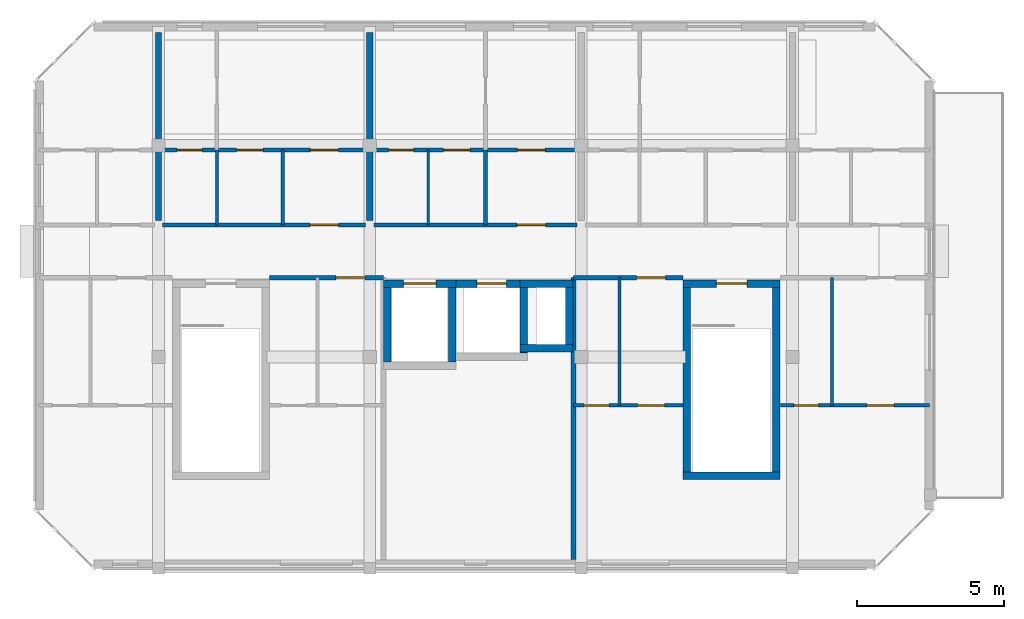
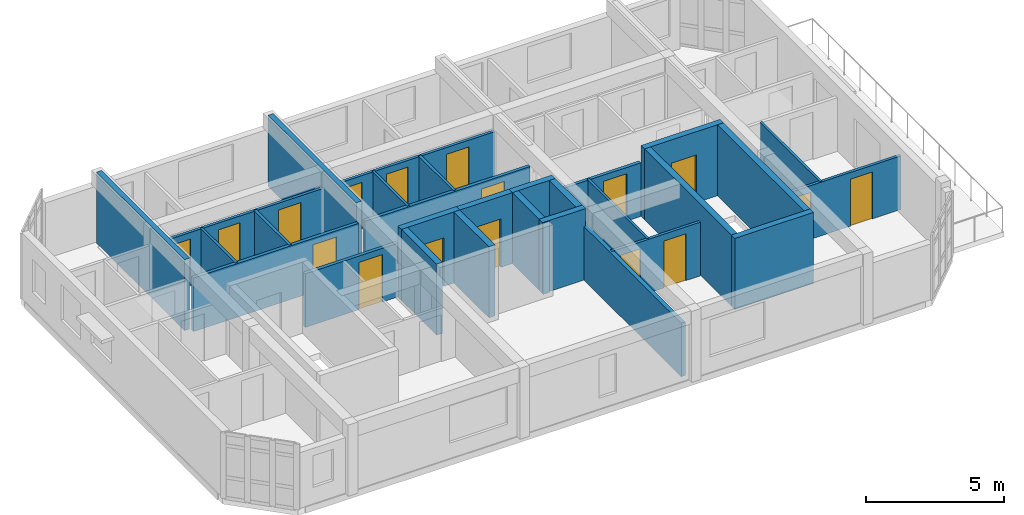
# One storey, part 4 of 6: 29 walls, 17 doors, 17 openings.
"""IFC4 building model written with IfcOpenShell, lengths in metres."""

import ifcopenshell
import ifcopenshell.guid

model = None  # the IFC model being written
_history = None  # IfcOwnerHistory: only IFC2X3 demands one
_inside = {}  # id of a spatial element -> (the spatial element, [elements in it])
_under = {}  # id of a project, library or spatial element -> (it, [spatial elements below it])
_declared = {}  # id of a project -> (the project, [libraries it declares])
_typed = {}  # id of a type object -> (the type object, [elements of that type])
_made_of = {}  # id of a material, layer set ... -> (it, [elements and type objects made of it])


def new_model(schema):
    """Start an empty IFC model of exactly this schema.

    Asked for "IFC4X3", IfcOpenShell would pick the latest addendum, in which some entities
    have other attributes; the version numbers below select the first issue.
    IFC2X3 requires an IfcOwnerHistory on every rooted entity: one is made here for all.
    """
    global model, _history
    if schema == "IFC4X3":
        model = ifcopenshell.file(schema_version=(4, 3, 0, 0))
    else:
        model = ifcopenshell.file(schema=schema)
    _inside.clear()
    _under.clear()
    _declared.clear()
    _typed.clear()
    _made_of.clear()
    _history = None
    if model.schema == "IFC2X3":
        org = make("IfcOrganization", Name="unknown")
        user = make(
            "IfcPersonAndOrganization",
            ThePerson=make("IfcPerson", FamilyName="unknown"),
            TheOrganization=org,
        )
        app = make(
            "IfcApplication",
            ApplicationDeveloper=org,
            Version="unknown",
            ApplicationFullName="unknown",
            ApplicationIdentifier="unknown",
        )
        _history = make(
            "IfcOwnerHistory",
            OwningUser=user,
            OwningApplication=app,
            ChangeAction="ADDED",
            CreationDate=0,
        )
    return model


def make(cls, **values):
    """One entity of the class cls with the attributes given. An attribute that is None is left unset."""
    return model.create_entity(
        cls, **{name: value for name, value in values.items() if value is not None}
    )


def rooted(cls, **values):
    """An entity with a GlobalId (a new one), such as an element, a storey or a relation."""
    return make(cls, GlobalId=ifcopenshell.guid.new(), OwnerHistory=_history, **values)


def si_unit(unit_type, name, prefix=None):
    """IfcSIUnit, for example si_unit("LENGTHUNIT", "METRE", prefix="MILLI")."""
    return make("IfcSIUnit", UnitType=unit_type, Prefix=prefix, Name=name)


def assignment(units):
    """IfcUnitAssignment: the units of a project."""
    return None if units is None else make("IfcUnitAssignment", Units=units)


def point(xyz):
    """IfcCartesianPoint."""
    return None if xyz is None else make("IfcCartesianPoint", Coordinates=xyz)


def direction(xyz):
    """IfcDirection."""
    return None if xyz is None else make("IfcDirection", DirectionRatios=xyz)


def frame(location, z_axis=None, x_axis=None):
    """IfcAxis2Placement3D, a coordinate frame: its origin and axes. An axis left out is left unset."""
    return make(
        "IfcAxis2Placement3D",
        Location=point(location),
        Axis=direction(z_axis),
        RefDirection=direction(x_axis),
    )


def frame_2d(location, x_axis=None):
    """IfcAxis2Placement2D, a coordinate frame in the plane: its origin and x axis."""
    return make(
        "IfcAxis2Placement2D", Location=point(location), RefDirection=direction(x_axis)
    )


def origin():
    """The frame at (0, 0, 0) with its axes left unset."""
    return frame((0.0, 0.0, 0.0))


def place(relative_to, where):
    """IfcLocalPlacement: puts the frame where relative to a parent placement (None: the world)."""
    return make(
        "IfcLocalPlacement", PlacementRelTo=relative_to, RelativePlacement=where
    )


def context(
    kind, dimensions, precision=None, world=None, true_north=None, identifier=None
):
    """IfcGeometricRepresentationContext, for example the 3D "Model" context."""
    return make(
        "IfcGeometricRepresentationContext",
        ContextIdentifier=identifier,
        ContextType=kind,
        CoordinateSpaceDimension=dimensions,
        Precision=precision,
        WorldCoordinateSystem=world,
        TrueNorth=true_north,
    )


def subcontext(parent, identifier, kind, view, scale=None):
    """IfcGeometricRepresentationSubContext, for example "Body" below "Model"."""
    return make(
        "IfcGeometricRepresentationSubContext",
        ContextIdentifier=identifier,
        ContextType=kind,
        ParentContext=parent,
        TargetScale=scale,
        TargetView=view,
    )


def project(units=None, contexts=None):
    """IfcProject with its units and contexts."""
    return rooted(
        "IfcProject",
        Name="project",
        RepresentationContexts=contexts,
        UnitsInContext=assignment(units),
    )


def spatial(cls, under=None, at=None, **own):
    """A site, building, storey or space (cls), placed at a placement, below another one or the project."""
    s = rooted(cls, ObjectPlacement=at, **own)
    if under is not None:
        _under.setdefault(under.id(), (under, []))[1].append(s)
    return s


def profile(cls, at=None, kind="AREA", **sizes):
    """A parametric profile (cls). Its sizes go by their IFC names, for example OverallWidth=200.0."""
    return make(cls, ProfileType=kind, Position=at, **sizes)


def rectangle(**sizes):
    """IfcRectangleProfileDef."""
    return profile("IfcRectangleProfileDef", **sizes)


def extrude(swept, where, along, depth):
    """IfcExtrudedAreaSolid: the profile swept, set in the frame where, extruded along a direction by depth."""
    return make(
        "IfcExtrudedAreaSolid",
        SweptArea=swept,
        Position=where,
        ExtrudedDirection=direction(along),
        Depth=depth,
    )


def shape(context_of_items, identifier, shape_type, items):
    """IfcShapeRepresentation: the items that make up one representation, for example the "Body"."""
    return make(
        "IfcShapeRepresentation",
        ContextOfItems=context_of_items,
        RepresentationIdentifier=identifier,
        RepresentationType=shape_type,
        Items=items,
    )


def material(Name=None, Category=None):
    """IfcMaterial."""
    return make("IfcMaterial", Name=Name, Category=Category)


def layer(
    of_material, thickness, ventilated=None, Name=None, Category=None, Priority=None
):
    """IfcMaterialLayer: one layer of a wall or slab, of a material (None: an air gap)."""
    return make(
        "IfcMaterialLayer",
        Material=of_material,
        LayerThickness=thickness,
        IsVentilated=ventilated,
        Name=Name,
        Category=Category,
        Priority=Priority,
    )


def layer_set(layers, Name=None):
    """IfcMaterialLayerSet."""
    return make("IfcMaterialLayerSet", MaterialLayers=layers, LayerSetName=Name)


def made_of(thing, what):
    """Note that an element or type object is made of a material, layer set ...; save() writes the relation."""
    if what is not None:
        _made_of.setdefault(what.id(), (what, []))[1].append(thing)
    return thing


def type_object(cls, material=None, **own):
    """A type object (cls), such as IfcWallType, which elements share."""
    return made_of(rooted(cls, **own), material)


def element(
    cls,
    number,
    at=None,
    inside=None,
    cuts=None,
    type_object=None,
    material=None,
    context=None,
    identifier="Body",
    shape_type=None,
    held_by="IfcProductDefinitionShape",
    body=None,
    shapes=None,
    **own,
):
    """One element of the class cls, such as IfcWall. Its Tag is "e" and its number.

    at: its placement. inside: the storey or other place that contains it. cuts: it is an
    opening in that element (IfcRelVoidsElement). A single representation is given by context,
    identifier, shape_type and body (its items); several are given by shapes. held_by: the class
    of the entity that holds the representations. save() writes the other relations.
    """
    e = rooted(cls, Tag="e%d" % number, ObjectPlacement=at, **own)
    if body is not None:
        shapes = [shape(context, identifier, shape_type, body)]
    if shapes is not None:
        e.Representation = make(held_by, Representations=shapes)
    if inside is not None:
        _inside.setdefault(inside.id(), (inside, []))[1].append(e)
    if cuts is not None:
        rooted(
            "IfcRelVoidsElement", RelatingBuildingElement=cuts, RelatedOpeningElement=e
        )
    if type_object is not None:
        _typed.setdefault(type_object.id(), (type_object, []))[1].append(e)
    return made_of(e, material)


def fill(opening, filler):
    """IfcRelFillsElement: the door or window that sits in an opening."""
    return rooted(
        "IfcRelFillsElement",
        RelatingOpeningElement=opening,
        RelatedBuildingElement=filler,
    )


def aggregate(whole, parts):
    """IfcRelAggregates: a whole, such as a stair, and the parts it consists of."""
    return rooted("IfcRelAggregates", RelatingObject=whole, RelatedObjects=parts)


def save(model, path):
    """Write the relations noted so far, then the file.

    IfcRelAggregates (storeys below a building ...), IfcRelContainedInSpatialStructure (elements
    in a storey), IfcRelDefinesByType, IfcRelAssociatesMaterial and IfcRelDeclares: one each for
    every whole, place, type object, material and project.
    """
    for whole, parts in _under.values():
        aggregate(whole, parts)
    for where, things in _inside.values():
        rooted(
            "IfcRelContainedInSpatialStructure",
            RelatedElements=things,
            RelatingStructure=where,
        )
    for kind, things in _typed.values():
        rooted("IfcRelDefinesByType", RelatedObjects=things, RelatingType=kind)
    for what, things in _made_of.values():
        rooted("IfcRelAssociatesMaterial", RelatedObjects=things, RelatingMaterial=what)
    for by, libraries in _declared.values():
        rooted("IfcRelDeclares", RelatingContext=by, RelatedDefinitions=libraries)
    model.write(path)


model = new_model("IFC4")

# Units and contexts
model_context = context("Model", 3, precision=1e-05, world=origin(), true_north=direction((0.0, 1.0)))
body_context = subcontext(model_context, "Body", "Model", "MODEL_VIEW")
ifc_project = project(units=[si_unit("LENGTHUNIT", "METRE"), si_unit("AREAUNIT", "SQUARE_METRE"), si_unit("VOLUMEUNIT", "CUBIC_METRE"), si_unit("PLANEANGLEUNIT", "RADIAN"), si_unit("MASSUNIT", "GRAM", prefix="KILO")], contexts=[model_context])

# Site, building, storey
site_placement = place(None, origin())
site = spatial("IfcSite", under=ifc_project, at=site_placement, CompositionType="ELEMENT")
building_placement = place(site_placement, origin())
building = spatial("IfcBuilding", under=site, at=building_placement, Name="Ochrevale Crest", CompositionType="ELEMENT")
storey_placement = place(building_placement, frame((0.0, 0.0, 49.64990234375)))
storey = spatial("IfcBuildingStorey", under=building, at=storey_placement, Name="L15", CompositionType="ELEMENT", Elevation=49.64990234375)

# Wall, opening, door
ifc_material_1 = material(Name="Gypsum plasterboard", Category="gypsum")
ifc_layer_1 = layer(ifc_material_1, 0.139892578125)
ifc_layer_set_1 = layer_set([ifc_layer_1], Name="Gypsum plasterboard")
wall_type_1 = type_object("IfcWallType", Name="WL-COR-140", PredefinedType="PARTITIONING", material=ifc_layer_set_1)
wall_1_placement = place(storey_placement, frame((136.93994140625, 83.699951171875, 0.0), z_axis=(0.0, 0.0, 1.0), x_axis=(1.0, 0.0, 0.0)))
wall_1 = element("IfcWall", 1, at=wall_1_placement, inside=storey, type_object=wall_type_1, Name="Apartment D-L15-U2 corridor wall", PredefinedType="PARTITIONING", context=body_context, shape_type="SweptSolid", body=[
    extrude(rectangle(XDim=6.920166015625, YDim=0.139892578125, at=frame_2d((3.4599609375, 0.0))), origin(), (0.0, 0.0, 1.0), 2.380126953125),
])
opening_1_placement = place(wall_1_placement, frame((6.0, 0.0, 0.0), z_axis=(0.0, 0.0, 1.0), x_axis=(-1.0, 0.0, 0.0)))
opening_1 = element("IfcOpeningElement", 2, at=opening_1_placement, cuts=wall_1, Name="Opening FD01", PredefinedType="OPENING", context=body_context, shape_type="SweptSolid", body=[
    extrude(rectangle(XDim=0.97998046875, YDim=2.10009765625, at=frame_2d((0.489990234375, 1.050048828125))), frame((0.0, 0.080078125, 0.0), z_axis=(0.0, -1.0, 0.0), x_axis=(1.0, 0.0, 0.0)), (0.0, 0.0, 1.0), 0.159912109375),
])
ifc_material_2 = material(Name="Solid-core FSC hardwood", Category="wood")
door_type_1 = type_object("IfcDoorType", Name="DR-APT-950", OperationType="NOTDEFINED", PredefinedType="DOOR", material=ifc_material_2)
door_1_placement = place(opening_1_placement, origin())
door_1 = element("IfcDoor", 3, at=door_1_placement, inside=storey, type_object=door_type_1, Name="Apartment D-L15-U2 entrance door", OperationType="SINGLE_SWING_RIGHT", OverallHeight=2.10009765625, OverallWidth=0.97998046875, PredefinedType="DOOR", context=body_context, shape_type="SweptSolid", body=[
    extrude(rectangle(XDim=0.97998046875, YDim=2.10009765625, at=frame_2d((0.489990234375, 1.050048828125))), frame((0.0, 0.02490234375, 0.0), z_axis=(0.0, -1.0, 0.0), x_axis=(1.0, 0.0, 0.0)), (0.0, 0.0, 1.0), 0.050048828125),
])
fill(opening_1, door_1)

wall_2_placement = place(storey_placement, frame((144.139892578125, 83.699951171875, 0.0), z_axis=(0.0, 0.0, 1.0), x_axis=(1.0, 0.0, 0.0)))
wall_2 = element("IfcWall", 4, at=wall_2_placement, inside=storey, type_object=wall_type_1, Name="Apartment D-L15-U3 corridor wall", PredefinedType="PARTITIONING", context=body_context, shape_type="SweptSolid", body=[
    extrude(rectangle(XDim=6.920166015625, YDim=0.139892578125, at=frame_2d((3.4599609375, 0.0))), origin(), (0.0, 0.0, 1.0), 2.380126953125),
])
opening_2_placement = place(wall_2_placement, frame((4.8701171875, 0.0, 0.0)))
opening_2 = element("IfcOpeningElement", 5, at=opening_2_placement, cuts=wall_2, Name="Opening FD01", PredefinedType="OPENING", context=body_context, shape_type="SweptSolid", body=[
    extrude(rectangle(XDim=0.97998046875, YDim=2.10009765625, at=frame_2d((0.489990234375, 1.050048828125))), frame((0.0, 0.080078125, 0.0), z_axis=(0.0, -1.0, 0.0), x_axis=(1.0, 0.0, 0.0)), (0.0, 0.0, 1.0), 0.159912109375),
])
door_2_placement = place(opening_2_placement, origin())
door_2 = element("IfcDoor", 6, at=door_2_placement, inside=storey, type_object=door_type_1, Name="Apartment D-L15-U3 entrance door", OperationType="SINGLE_SWING_LEFT", OverallHeight=2.10009765625, OverallWidth=0.97998046875, PredefinedType="DOOR", context=body_context, shape_type="SweptSolid", body=[
    extrude(rectangle(XDim=0.97998046875, YDim=2.10009765625, at=frame_2d((0.489990234375, 1.050048828125))), frame((0.0, 0.02490234375, 0.0), z_axis=(0.0, -1.0, 0.0), x_axis=(1.0, 0.0, 0.0)), (0.0, 0.0, 1.0), 0.050048828125),
])
fill(opening_2, door_2)

wall_3_placement = place(storey_placement, frame((140.590087890625, 81.89990234375, 0.0), z_axis=(0.0, 0.0, 1.0), x_axis=(1.0, 0.0, 0.0)))
wall_3 = element("IfcWall", 7, at=wall_3_placement, inside=storey, type_object=wall_type_1, Name="Suite D-L15-MW corridor wall", PredefinedType="PARTITIONING", context=body_context, shape_type="SweptSolid", body=[
    extrude(rectangle(XDim=3.869873046875, YDim=0.139892578125, at=frame_2d((1.93505859375, 0.0))), origin(), (0.0, 0.0, 1.0), 2.380126953125),
])
opening_3_placement = place(wall_3_placement, frame((2.2578125, 0.0, 0.0)))
opening_3 = element("IfcOpeningElement", 8, at=opening_3_placement, cuts=wall_3, Name="Opening FD01", PredefinedType="OPENING", context=body_context, shape_type="SweptSolid", body=[
    extrude(rectangle(XDim=0.97998046875, YDim=2.10009765625, at=frame_2d((0.489990234375, 1.050048828125))), frame((0.0, 0.080078125, 0.0), z_axis=(0.0, -1.0, 0.0), x_axis=(1.0, 0.0, 0.0)), (0.0, 0.0, 1.0), 0.159912109375),
])
door_3_placement = place(opening_3_placement, origin())
door_3 = element("IfcDoor", 9, at=door_3_placement, inside=storey, type_object=door_type_1, Name="Suite D-L15-MW entrance door", OperationType="SINGLE_SWING_LEFT", OverallHeight=2.10009765625, OverallWidth=0.97998046875, PredefinedType="DOOR", context=body_context, shape_type="SweptSolid", body=[
    extrude(rectangle(XDim=0.97998046875, YDim=2.10009765625, at=frame_2d((0.489990234375, 1.050048828125))), frame((0.0, 0.02490234375, 0.0), z_axis=(0.0, -1.0, 0.0), x_axis=(1.0, 0.0, 0.0)), (0.0, 0.0, 1.0), 0.050048828125),
])
fill(opening_3, door_3)

wall_4_placement = place(storey_placement, frame((150.93994140625, 81.89990234375, 0.0), z_axis=(0.0, 0.0, 1.0), x_axis=(1.0, 0.0, 0.0)))
wall_4 = element("IfcWall", 10, at=wall_4_placement, inside=storey, type_object=wall_type_1, Name="Suite D-L15-ME corridor wall", PredefinedType="PARTITIONING", context=body_context, shape_type="SweptSolid", body=[
    extrude(rectangle(XDim=3.719970703125, YDim=0.139892578125, at=frame_2d((1.85986328125, 0.0))), origin(), (0.0, 0.0, 1.0), 2.380126953125),
])
opening_4_placement = place(wall_4_placement, frame((3.131103515625, 0.0, 0.0), z_axis=(0.0, 0.0, 1.0), x_axis=(-1.0, 0.0, 0.0)))
opening_4 = element("IfcOpeningElement", 11, at=opening_4_placement, cuts=wall_4, Name="Opening FD01", PredefinedType="OPENING", context=body_context, shape_type="SweptSolid", body=[
    extrude(rectangle(XDim=0.97998046875, YDim=2.10009765625, at=frame_2d((0.489990234375, 1.050048828125))), frame((0.0, 0.080078125, 0.0), z_axis=(0.0, -1.0, 0.0), x_axis=(1.0, 0.0, 0.0)), (0.0, 0.0, 1.0), 0.159912109375),
])
door_4_placement = place(opening_4_placement, origin())
door_4 = element("IfcDoor", 12, at=door_4_placement, inside=storey, type_object=door_type_1, Name="Suite D-L15-ME entrance door", OperationType="SINGLE_SWING_RIGHT", OverallHeight=2.10009765625, OverallWidth=0.97998046875, PredefinedType="DOOR", context=body_context, shape_type="SweptSolid", body=[
    extrude(rectangle(XDim=0.97998046875, YDim=2.10009765625, at=frame_2d((0.489990234375, 1.050048828125))), frame((0.0, 0.02490234375, 0.0), z_axis=(0.0, -1.0, 0.0), x_axis=(1.0, 0.0, 0.0)), (0.0, 0.0, 1.0), 0.050048828125),
])
fill(opening_4, door_4)

# Wall
ifc_material_3 = material(Name="Precast concrete C50/60", Category="concrete")
ifc_layer_2 = layer(ifc_material_3, 0.2548828125)
ifc_layer_set_2 = layer_set([ifc_layer_2], Name="Precast concrete C50/60")
wall_type_2 = type_object("IfcWallType", Name="WL-CORE-255", PredefinedType="SHEAR", material=ifc_layer_set_2)
wall_5_placement = place(storey_placement, frame((154.672607421875, 75.14990234375, 0.0), z_axis=(0.0, 0.0, 1.0), x_axis=(1.0, 0.0, 0.0)))
element("IfcWall", 13, at=wall_5_placement, inside=storey, type_object=wall_type_2, Name="Block D L15 Stair 2 precast core shear wall S", PredefinedType="SHEAR", context=body_context, shape_type="SweptSolid", body=[
    extrude(rectangle(XDim=3.304931640625, YDim=0.2548828125, at=frame_2d((1.65234375, 0.0))), origin(), (0.0, 0.0, 1.0), 3.150146484375),
])

# Wall, opening, door
wall_6_placement = place(storey_placement, frame((154.672607421875, 81.699951171875, 0.0), z_axis=(0.0, 0.0, 1.0), x_axis=(1.0, 0.0, 0.0)))
wall_6 = element("IfcWall", 14, at=wall_6_placement, inside=storey, type_object=wall_type_2, Name="Block D L15 Stair 2 precast core shear wall N", PredefinedType="SHEAR", context=body_context, shape_type="SweptSolid", body=[
    extrude(rectangle(XDim=3.304931640625, YDim=0.2548828125, at=frame_2d((1.65234375, 0.0))), origin(), (0.0, 0.0, 1.0), 3.150146484375),
])
opening_5_placement = place(wall_6_placement, frame((1.12744140625, 0.0, 0.0)))
opening_5 = element("IfcOpeningElement", 15, at=opening_5_placement, cuts=wall_6, Name="Opening FD03", PredefinedType="OPENING", context=body_context, shape_type="SweptSolid", body=[
    extrude(rectangle(XDim=1.050048828125, YDim=2.1201171875, at=frame_2d((0.52490234375, 1.06005859375))), frame((0.0, 0.137451171875, 0.0), z_axis=(0.0, -1.0, 0.0), x_axis=(1.0, 0.0, 0.0)), (0.0, 0.0, 1.0), 0.27490234375),
])
door_type_2 = type_object("IfcDoorType", Name="DR-ST-1050", OperationType="NOTDEFINED", PredefinedType="DOOR", material=ifc_material_2)
door_5_placement = place(opening_5_placement, origin())
door_5 = element("IfcDoor", 16, at=door_5_placement, inside=storey, type_object=door_type_2, Name="Block D L15 fire stair 2 door", OperationType="SINGLE_SWING_LEFT", OverallHeight=2.1201171875, OverallWidth=1.050048828125, PredefinedType="DOOR", context=body_context, shape_type="SweptSolid", body=[
    extrude(rectangle(XDim=1.050048828125, YDim=2.1201171875, at=frame_2d((0.52490234375, 1.06005859375))), frame((0.0, 0.02490234375, 0.0), z_axis=(0.0, -1.0, 0.0), x_axis=(1.0, 0.0, 0.0)), (0.0, 0.0, 1.0), 0.050048828125),
])
fill(opening_5, door_5)

# Walls
for number, where, z_axis, x_axis, name in (
    (17, (154.800048828125, 75.277587890625, 0.0), (0.0, 0.0, 1.0), (0.0, 1.0, 0.0), "Block D L15 Stair 2 precast core shear wall W"),
    (18, (157.85009765625, 75.277587890625, 0.0), (0.0, 0.0, 1.0), (0.0, 1.0, 0.0), "Block D L15 Stair 2 precast core shear wall E"),
):
    element("IfcWall", number, at=place(storey_placement, frame(where, z_axis=z_axis, x_axis=x_axis)), inside=storey, type_object=wall_type_2, Name=name, PredefinedType="SHEAR", context=body_context, shape_type="SweptSolid", body=[
        extrude(rectangle(XDim=6.294921875, YDim=0.2548828125, at=frame_2d((3.1474609375, 0.0))), origin(), (0.0, 0.0, 1.0), 3.150146484375),
    ])

# Wall, opening, door
wall_7_placement = place(storey_placement, frame((144.472412109375, 81.699951171875, 0.0), z_axis=(0.0, 0.0, 1.0), x_axis=(1.0, 0.0, 0.0)))
wall_7 = element("IfcWall", 19, at=wall_7_placement, inside=storey, type_object=wall_type_2, Name="Block D L15 Lift 1 precast shaft shear wall N", PredefinedType="SHEAR", context=body_context, shape_type="SweptSolid", body=[
    extrude(rectangle(XDim=2.455078125, YDim=0.2548828125, at=frame_2d((1.2275390625, 0.0))), origin(), (0.0, 0.0, 1.0), 3.150146484375),
])
opening_6_placement = place(wall_7_placement, frame((0.677490234375, 0.0, 0.0)))
opening_6 = element("IfcOpeningElement", 20, at=opening_6_placement, cuts=wall_7, Name="Opening LD01", PredefinedType="OPENING", context=body_context, shape_type="SweptSolid", body=[
    extrude(rectangle(XDim=1.10009765625, YDim=2.14990234375, at=frame_2d((0.550048828125, 1.074951171875))), frame((0.0, 0.137451171875, 0.0), z_axis=(0.0, -1.0, 0.0), x_axis=(1.0, 0.0, 0.0)), (0.0, 0.0, 1.0), 0.27490234375),
])
door_type_3 = type_object("IfcDoorType", Name="DR-LIFT-1100", OperationType="NOTDEFINED", PredefinedType="DOOR", material=ifc_material_2)
door_6_placement = place(opening_6_placement, origin())
door_6 = element("IfcDoor", 21, at=door_6_placement, inside=storey, type_object=door_type_3, Name="Lift LF-D1 L15 sliding landing door", OperationType="SLIDING_TO_LEFT", OverallHeight=2.14990234375, OverallWidth=1.10009765625, PredefinedType="DOOR", context=body_context, shape_type="SweptSolid", body=[
    extrude(rectangle(XDim=1.10009765625, YDim=2.14990234375, at=frame_2d((0.550048828125, 1.074951171875))), frame((0.0, 0.02490234375, 0.0), z_axis=(0.0, -1.0, 0.0), x_axis=(1.0, 0.0, 0.0)), (0.0, 0.0, 1.0), 0.050048828125),
])
fill(opening_6, door_6)

# Walls
for number, where, z_axis, x_axis, name in (
    (22, (144.60009765625, 79.027587890625, 0.0), (0.0, 0.0, 1.0), (0.0, 1.0, 0.0), "Block D L15 Lift 1 precast shaft shear wall W"),
    (23, (146.800048828125, 79.027587890625, 0.0), (0.0, 0.0, 1.0), (0.0, 1.0, 0.0), "Block D L15 Lift 1 precast shaft shear wall E"),
):
    element("IfcWall", number, at=place(storey_placement, frame(where, z_axis=z_axis, x_axis=x_axis)), inside=storey, type_object=wall_type_2, Name=name, PredefinedType="SHEAR", context=body_context, shape_type="SweptSolid", body=[
        extrude(rectangle(XDim=2.544921875, YDim=0.2548828125, at=frame_2d((1.2724609375, 0.0))), origin(), (0.0, 0.0, 1.0), 3.150146484375),
    ])

# Wall, opening, door
wall_8_placement = place(storey_placement, frame((146.922607421875, 81.699951171875, 0.0), z_axis=(0.0, 0.0, 1.0), x_axis=(1.0, 0.0, 0.0)))
wall_8 = element("IfcWall", 24, at=wall_8_placement, inside=storey, type_object=wall_type_2, Name="Block D L15 Lift 2 precast shaft shear wall N", PredefinedType="SHEAR", context=body_context, shape_type="SweptSolid", body=[
    extrude(rectangle(XDim=2.454833984375, YDim=0.2548828125, at=frame_2d((1.2275390625, 0.0))), origin(), (0.0, 0.0, 1.0), 3.150146484375),
])
opening_7_placement = place(wall_8_placement, frame((0.7275390625, 0.0, 0.0)))
opening_7 = element("IfcOpeningElement", 25, at=opening_7_placement, cuts=wall_8, Name="Opening LD02", PredefinedType="OPENING", context=body_context, shape_type="SweptSolid", body=[
    extrude(rectangle(XDim=1.0, YDim=2.14990234375, at=frame_2d((0.5, 1.074951171875))), frame((0.0, 0.137451171875, 0.0), z_axis=(0.0, -1.0, 0.0), x_axis=(1.0, 0.0, 0.0)), (0.0, 0.0, 1.0), 0.27490234375),
])
door_type_4 = type_object("IfcDoorType", Name="DR-LIFT-1000", OperationType="NOTDEFINED", PredefinedType="DOOR", material=ifc_material_2)
door_7_placement = place(opening_7_placement, origin())
door_7 = element("IfcDoor", 26, at=door_7_placement, inside=storey, type_object=door_type_4, Name="Lift LP-D2 L15 sliding landing door", OperationType="SLIDING_TO_RIGHT", OverallHeight=2.14990234375, OverallWidth=1.0, PredefinedType="DOOR", context=body_context, shape_type="SweptSolid", body=[
    extrude(rectangle(XDim=1.0, YDim=2.14990234375, at=frame_2d((0.5, 1.074951171875))), frame((0.0, 0.02490234375, 0.0), z_axis=(0.0, -1.0, 0.0), x_axis=(1.0, 0.0, 0.0)), (0.0, 0.0, 1.0), 0.050048828125),
])
fill(opening_7, door_7)

# Walls
wall_9_placement = place(storey_placement, frame((149.25, 79.327392578125, 0.0), z_axis=(0.0, 0.0, 1.0), x_axis=(0.0, 1.0, 0.0)))
element("IfcWall", 27, at=wall_9_placement, inside=storey, type_object=wall_type_2, Name="Block D L15 Lift 2 precast shaft shear wall E", PredefinedType="SHEAR", context=body_context, shape_type="SweptSolid", body=[
    extrude(rectangle(XDim=2.2451171875, YDim=0.2548828125, at=frame_2d((1.12255859375, 0.0))), origin(), (0.0, 0.0, 1.0), 3.150146484375),
])
for number, where, z_axis, x_axis, name in (
    (28, (149.12255859375, 79.5, 0.0), (0.0, 0.0, 1.0), (1.0, 0.0, 0.0), "Block D L15 services riser shaft core wall S"),
    (29, (149.12255859375, 81.699951171875, 0.0), (0.0, 0.0, 1.0), (1.0, 0.0, 0.0), "Block D L15 services riser shaft core wall N"),
):
    element("IfcWall", number, at=place(storey_placement, frame(where, z_axis=z_axis, x_axis=x_axis)), inside=storey, type_object=wall_type_2, Name=name, PredefinedType="SHEAR", context=body_context, shape_type="SweptSolid", body=[
        extrude(rectangle(XDim=1.804931640625, YDim=0.2548828125, at=frame_2d((0.90234375, 0.0))), origin(), (0.0, 0.0, 1.0), 3.150146484375),
    ])
wall_10_placement = place(storey_placement, frame((150.800048828125, 79.62744140625, 0.0), z_axis=(0.0, 0.0, 1.0), x_axis=(0.0, 1.0, 0.0)))
element("IfcWall", 30, at=wall_10_placement, inside=storey, type_object=wall_type_2, Name="Block D L15 services riser shaft core wall E", PredefinedType="SHEAR", context=body_context, shape_type="SweptSolid", body=[
    extrude(rectangle(XDim=1.945068359375, YDim=0.2548828125, at=frame_2d((0.97265625, 0.0))), origin(), (0.0, 0.0, 1.0), 3.150146484375),
])
ifc_layer_3 = layer(ifc_material_1, 0.1201171875)
ifc_layer_set_3 = layer_set([ifc_layer_3], Name="Gypsum plasterboard")
wall_type_3 = type_object("IfcWallType", Name="WL-PART-120", PredefinedType="PARTITIONING", material=ifc_layer_set_3)
wall_11_placement = place(storey_placement, frame((141.0400390625, 83.699951171875, 0.0), z_axis=(0.0, 0.0, 1.0), x_axis=(0.0, 1.0, 0.0)))
element("IfcWall", 31, at=wall_11_placement, inside=storey, type_object=wall_type_3, Name="Apartment D-L15-U2 kitchen-foyer wall", PredefinedType="PARTITIONING", context=body_context, shape_type="SweptSolid", body=[
    extrude(rectangle(XDim=2.550048828125, YDim=0.1201171875, at=frame_2d((1.27490234375, 0.0))), origin(), (0.0, 0.0, 1.0), 2.380126953125),
])

# Wall, openings, doors
wall_12_placement = place(storey_placement, frame((136.93994140625, 86.25, 0.0), z_axis=(0.0, 0.0, 1.0), x_axis=(1.0, 0.0, 0.0)))
wall_12 = element("IfcWall", 32, at=wall_12_placement, inside=storey, type_object=wall_type_3, Name="Apartment D-L15-U2 central partition", PredefinedType="PARTITIONING", context=body_context, shape_type="SweptSolid", body=[
    extrude(rectangle(XDim=6.920166015625, YDim=0.1201171875, at=frame_2d((3.4599609375, 0.0))), origin(), (0.0, 0.0, 1.0), 2.380126953125),
])
opening_8_placement = place(wall_12_placement, frame((0.5, 0.0, 0.0)))
opening_8 = element("IfcOpeningElement", 33, at=opening_8_placement, cuts=wall_12, Name="Opening ID01", PredefinedType="OPENING", context=body_context, shape_type="SweptSolid", body=[
    extrude(rectangle(XDim=0.85009765625, YDim=2.080078125, at=frame_2d((0.425048828125, 1.0400390625))), frame((0.0, 0.070068359375, 0.0), z_axis=(0.0, -1.0, 0.0), x_axis=(1.0, 0.0, 0.0)), (0.0, 0.0, 1.0), 0.14013671875),
])
opening_9_placement = place(wall_12_placement, frame((3.4248046875, 0.0, 0.0), z_axis=(0.0, 0.0, 1.0), x_axis=(-1.0, 0.0, 0.0)))
opening_9 = element("IfcOpeningElement", 34, at=opening_9_placement, cuts=wall_12, Name="Opening ID02", PredefinedType="OPENING", context=body_context, shape_type="SweptSolid", body=[
    extrude(rectangle(XDim=0.89990234375, YDim=2.080078125, at=frame_2d((0.449951171875, 1.0400390625))), frame((0.0, 0.070068359375, 0.0), z_axis=(0.0, -1.0, 0.0), x_axis=(1.0, 0.0, 0.0)), (0.0, 0.0, 1.0), 0.14013671875),
])
opening_10_placement = place(wall_12_placement, frame((5.034912109375, 0.0, 0.0)))
opening_10 = element("IfcOpeningElement", 35, at=opening_10_placement, cuts=wall_12, Name="Opening ID06", PredefinedType="OPENING", context=body_context, shape_type="SweptSolid", body=[
    extrude(rectangle(XDim=0.949951171875, YDim=2.080078125, at=frame_2d((0.47509765625, 1.0400390625))), frame((0.0, 0.070068359375, 0.0), z_axis=(0.0, -1.0, 0.0), x_axis=(1.0, 0.0, 0.0)), (0.0, 0.0, 1.0), 0.14013671875),
])
door_type_5 = type_object("IfcDoorType", Name="DR-INT-900", OperationType="NOTDEFINED", PredefinedType="DOOR", material=ifc_material_2)
door_8_placement = place(opening_9_placement, origin())
door_8 = element("IfcDoor", 36, at=door_8_placement, inside=storey, type_object=door_type_5, Name="Apartment D-L15-U2 Kitchen door", OperationType="SINGLE_SWING_RIGHT", OverallHeight=2.080078125, OverallWidth=0.89990234375, PredefinedType="DOOR", context=body_context, shape_type="SweptSolid", body=[
    extrude(rectangle(XDim=0.89990234375, YDim=2.080078125, at=frame_2d((0.449951171875, 1.0400390625))), frame((0.0, 0.02490234375, 0.0), z_axis=(0.0, -1.0, 0.0), x_axis=(1.0, 0.0, 0.0)), (0.0, 0.0, 1.0), 0.050048828125),
])
fill(opening_9, door_8)
door_type_6 = type_object("IfcDoorType", Name="DR-INT-950", OperationType="NOTDEFINED", PredefinedType="DOOR", material=ifc_material_2)
door_9_placement = place(opening_10_placement, origin())
door_9 = element("IfcDoor", 37, at=door_9_placement, inside=storey, type_object=door_type_6, Name="Apartment D-L15-U2 Living Foyer door", OperationType="SINGLE_SWING_LEFT", OverallHeight=2.080078125, OverallWidth=0.949951171875, PredefinedType="DOOR", context=body_context, shape_type="SweptSolid", body=[
    extrude(rectangle(XDim=0.949951171875, YDim=2.080078125, at=frame_2d((0.47509765625, 1.0400390625))), frame((0.0, 0.02490234375, 0.0), z_axis=(0.0, -1.0, 0.0), x_axis=(1.0, 0.0, 0.0)), (0.0, 0.0, 1.0), 0.050048828125),
])
fill(opening_10, door_9)
door_type_7 = type_object("IfcDoorType", Name="DR-WC-850", OperationType="NOTDEFINED", PredefinedType="DOOR", material=ifc_material_2)
door_10_placement = place(opening_8_placement, origin())
door_10 = element("IfcDoor", 38, at=door_10_placement, inside=storey, type_object=door_type_7, Name="Apartment D-L15-U2 Bathroom door", OperationType="SINGLE_SWING_LEFT", OverallHeight=2.080078125, OverallWidth=0.85009765625, PredefinedType="DOOR", context=body_context, shape_type="SweptSolid", body=[
    extrude(rectangle(XDim=0.85009765625, YDim=2.080078125, at=frame_2d((0.425048828125, 1.0400390625))), frame((0.0, 0.02490234375, 0.0), z_axis=(0.0, -1.0, 0.0), x_axis=(1.0, 0.0, 0.0)), (0.0, 0.0, 1.0), 0.050048828125),
])
fill(opening_8, door_10)

# Wall
wall_13_placement = place(storey_placement, frame((147.93994140625, 83.699951171875, 0.0), z_axis=(0.0, 0.0, 1.0), x_axis=(0.0, 1.0, 0.0)))
element("IfcWall", 39, at=wall_13_placement, inside=storey, type_object=wall_type_3, Name="Apartment D-L15-U3 kitchen-foyer wall", PredefinedType="PARTITIONING", context=body_context, shape_type="SweptSolid", body=[
    extrude(rectangle(XDim=2.550048828125, YDim=0.1201171875, at=frame_2d((1.27490234375, 0.0))), origin(), (0.0, 0.0, 1.0), 2.380126953125),
])

# Wall, openings, doors
wall_14_placement = place(storey_placement, frame((144.139892578125, 86.25, 0.0), z_axis=(0.0, 0.0, 1.0), x_axis=(1.0, 0.0, 0.0)))
wall_14 = element("IfcWall", 40, at=wall_14_placement, inside=storey, type_object=wall_type_3, Name="Apartment D-L15-U3 central partition", PredefinedType="PARTITIONING", context=body_context, shape_type="SweptSolid", body=[
    extrude(rectangle(XDim=6.920166015625, YDim=0.1201171875, at=frame_2d((3.4599609375, 0.0))), origin(), (0.0, 0.0, 1.0), 2.380126953125),
])
opening_11_placement = place(wall_14_placement, frame((1.35009765625, 0.0, 0.0), z_axis=(0.0, 0.0, 1.0), x_axis=(-1.0, 0.0, 0.0)))
opening_11 = element("IfcOpeningElement", 41, at=opening_11_placement, cuts=wall_14, Name="Opening ID01", PredefinedType="OPENING", context=body_context, shape_type="SweptSolid", body=[
    extrude(rectangle(XDim=0.85009765625, YDim=2.080078125, at=frame_2d((0.425048828125, 1.0400390625))), frame((0.0, 0.070068359375, 0.0), z_axis=(0.0, -1.0, 0.0), x_axis=(1.0, 0.0, 0.0)), (0.0, 0.0, 1.0), 0.14013671875),
])
opening_12_placement = place(wall_14_placement, frame((2.375, 0.0, 0.0)))
opening_12 = element("IfcOpeningElement", 42, at=opening_12_placement, cuts=wall_14, Name="Opening ID02", PredefinedType="OPENING", context=body_context, shape_type="SweptSolid", body=[
    extrude(rectangle(XDim=0.89990234375, YDim=2.080078125, at=frame_2d((0.449951171875, 1.0400390625))), frame((0.0, 0.070068359375, 0.0), z_axis=(0.0, -1.0, 0.0), x_axis=(1.0, 0.0, 0.0)), (0.0, 0.0, 1.0), 0.14013671875),
])
opening_13_placement = place(wall_14_placement, frame((5.8349609375, 0.0, 0.0), z_axis=(0.0, 0.0, 1.0), x_axis=(-1.0, 0.0, 0.0)))
opening_13 = element("IfcOpeningElement", 43, at=opening_13_placement, cuts=wall_14, Name="Opening ID06", PredefinedType="OPENING", context=body_context, shape_type="SweptSolid", body=[
    extrude(rectangle(XDim=0.949951171875, YDim=2.080078125, at=frame_2d((0.47509765625, 1.0400390625))), frame((0.0, 0.070068359375, 0.0), z_axis=(0.0, -1.0, 0.0), x_axis=(1.0, 0.0, 0.0)), (0.0, 0.0, 1.0), 0.14013671875),
])
door_11_placement = place(opening_12_placement, origin())
door_11 = element("IfcDoor", 44, at=door_11_placement, inside=storey, type_object=door_type_5, Name="Apartment D-L15-U3 Kitchen door", OperationType="SINGLE_SWING_LEFT", OverallHeight=2.080078125, OverallWidth=0.89990234375, PredefinedType="DOOR", context=body_context, shape_type="SweptSolid", body=[
    extrude(rectangle(XDim=0.89990234375, YDim=2.080078125, at=frame_2d((0.449951171875, 1.0400390625))), frame((0.0, 0.02490234375, 0.0), z_axis=(0.0, -1.0, 0.0), x_axis=(1.0, 0.0, 0.0)), (0.0, 0.0, 1.0), 0.050048828125),
])
fill(opening_12, door_11)
door_12_placement = place(opening_13_placement, origin())
door_12 = element("IfcDoor", 45, at=door_12_placement, inside=storey, type_object=door_type_6, Name="Apartment D-L15-U3 Living Foyer door", OperationType="SINGLE_SWING_RIGHT", OverallHeight=2.080078125, OverallWidth=0.949951171875, PredefinedType="DOOR", context=body_context, shape_type="SweptSolid", body=[
    extrude(rectangle(XDim=0.949951171875, YDim=2.080078125, at=frame_2d((0.47509765625, 1.0400390625))), frame((0.0, 0.02490234375, 0.0), z_axis=(0.0, -1.0, 0.0), x_axis=(1.0, 0.0, 0.0)), (0.0, 0.0, 1.0), 0.050048828125),
])
fill(opening_13, door_12)
door_13_placement = place(opening_11_placement, origin())
door_13 = element("IfcDoor", 46, at=door_13_placement, inside=storey, type_object=door_type_7, Name="Apartment D-L15-U3 Bathroom door", OperationType="SINGLE_SWING_RIGHT", OverallHeight=2.080078125, OverallWidth=0.85009765625, PredefinedType="DOOR", context=body_context, shape_type="SweptSolid", body=[
    extrude(rectangle(XDim=0.85009765625, YDim=2.080078125, at=frame_2d((0.425048828125, 1.0400390625))), frame((0.0, 0.02490234375, 0.0), z_axis=(0.0, -1.0, 0.0), x_axis=(1.0, 0.0, 0.0)), (0.0, 0.0, 1.0), 0.050048828125),
])
fill(opening_11, door_13)

wall_15_placement = place(storey_placement, frame((150.93994140625, 77.550048828125, 0.0), z_axis=(0.0, 0.0, 1.0), x_axis=(1.0, 0.0, 0.0)))
wall_15 = element("IfcWall", 47, at=wall_15_placement, inside=storey, type_object=wall_type_3, Name="Suite D-L15-ME internal wall", PredefinedType="PARTITIONING", context=body_context, shape_type="SweptSolid", body=[
    extrude(rectangle(XDim=3.719970703125, YDim=0.1201171875, at=frame_2d((1.85986328125, 0.0))), origin(), (0.0, 0.0, 1.0), 2.380126953125),
])
opening_14_placement = place(wall_15_placement, frame((0.356201171875, 0.0, 0.0)))
opening_14 = element("IfcOpeningElement", 48, at=opening_14_placement, cuts=wall_15, Name="Opening ID01", PredefinedType="OPENING", context=body_context, shape_type="SweptSolid", body=[
    extrude(rectangle(XDim=0.85009765625, YDim=2.080078125, at=frame_2d((0.425048828125, 1.0400390625))), frame((0.0, 0.070068359375, 0.0), z_axis=(0.0, -1.0, 0.0), x_axis=(1.0, 0.0, 0.0)), (0.0, 0.0, 1.0), 0.14013671875),
])
opening_15_placement = place(wall_15_placement, frame((3.10107421875, 0.0, 0.0), z_axis=(0.0, 0.0, 1.0), x_axis=(-1.0, 0.0, 0.0)))
opening_15 = element("IfcOpeningElement", 49, at=opening_15_placement, cuts=wall_15, Name="Opening ID04", PredefinedType="OPENING", context=body_context, shape_type="SweptSolid", body=[
    extrude(rectangle(XDim=0.919921875, YDim=2.080078125, at=frame_2d((0.4599609375, 1.0400390625))), frame((0.0, 0.070068359375, 0.0), z_axis=(0.0, -1.0, 0.0), x_axis=(1.0, 0.0, 0.0)), (0.0, 0.0, 1.0), 0.14013671875),
])
door_type_8 = type_object("IfcDoorType", Name="DR-INT-920", OperationType="NOTDEFINED", PredefinedType="DOOR", material=ifc_material_2)
door_14_placement = place(opening_15_placement, origin())
door_14 = element("IfcDoor", 50, at=door_14_placement, inside=storey, type_object=door_type_8, Name="Suite D-L15-ME Garden Alcove Studio door", OperationType="SINGLE_SWING_RIGHT", OverallHeight=2.080078125, OverallWidth=0.919921875, PredefinedType="DOOR", context=body_context, shape_type="SweptSolid", body=[
    extrude(rectangle(XDim=0.919921875, YDim=2.080078125, at=frame_2d((0.4599609375, 1.0400390625))), frame((0.0, 0.02490234375, 0.0), z_axis=(0.0, -1.0, 0.0), x_axis=(1.0, 0.0, 0.0)), (0.0, 0.0, 1.0), 0.050048828125),
])
fill(opening_15, door_14)
door_15_placement = place(opening_14_placement, origin())
door_15 = element("IfcDoor", 51, at=door_15_placement, inside=storey, type_object=door_type_7, Name="Suite D-L15-ME Bathroom door", OperationType="SINGLE_SWING_LEFT", OverallHeight=2.080078125, OverallWidth=0.85009765625, PredefinedType="DOOR", context=body_context, shape_type="SweptSolid", body=[
    extrude(rectangle(XDim=0.85009765625, YDim=2.080078125, at=frame_2d((0.425048828125, 1.0400390625))), frame((0.0, 0.02490234375, 0.0), z_axis=(0.0, -1.0, 0.0), x_axis=(1.0, 0.0, 0.0)), (0.0, 0.0, 1.0), 0.050048828125),
])
fill(opening_14, door_15)

wall_16_placement = place(storey_placement, frame((157.989990234375, 77.550048828125, 0.0), z_axis=(0.0, 0.0, 1.0), x_axis=(1.0, 0.0, 0.0)))
wall_16 = element("IfcWall", 52, at=wall_16_placement, inside=storey, type_object=wall_type_3, Name="Suite D-L15-CE internal wall", PredefinedType="PARTITIONING", context=body_context, shape_type="SweptSolid", body=[
    extrude(rectangle(XDim=5.070068359375, YDim=0.1201171875, at=frame_2d((2.53515625, 0.0))), origin(), (0.0, 0.0, 1.0), 2.380126953125),
])
opening_16_placement = place(wall_16_placement, frame((1.300048828125, 0.0, 0.0), z_axis=(0.0, 0.0, 1.0), x_axis=(-1.0, 0.0, 0.0)))
opening_16 = element("IfcOpeningElement", 53, at=opening_16_placement, cuts=wall_16, Name="Opening ID01", PredefinedType="OPENING", context=body_context, shape_type="SweptSolid", body=[
    extrude(rectangle(XDim=0.85009765625, YDim=2.080078125, at=frame_2d((0.425048828125, 1.0400390625))), frame((0.0, 0.070068359375, 0.0), z_axis=(0.0, -1.0, 0.0), x_axis=(1.0, 0.0, 0.0)), (0.0, 0.0, 1.0), 0.14013671875),
])
opening_17_placement = place(wall_16_placement, frame((2.949951171875, 0.0, 0.0)))
opening_17 = element("IfcOpeningElement", 54, at=opening_17_placement, cuts=wall_16, Name="Opening ID04", PredefinedType="OPENING", context=body_context, shape_type="SweptSolid", body=[
    extrude(rectangle(XDim=0.919921875, YDim=2.080078125, at=frame_2d((0.4599609375, 1.0400390625))), frame((0.0, 0.070068359375, 0.0), z_axis=(0.0, -1.0, 0.0), x_axis=(1.0, 0.0, 0.0)), (0.0, 0.0, 1.0), 0.14013671875),
])
door_16_placement = place(opening_17_placement, origin())
door_16 = element("IfcDoor", 55, at=door_16_placement, inside=storey, type_object=door_type_8, Name="Suite D-L15-CE Master Bedroom door", OperationType="SINGLE_SWING_LEFT", OverallHeight=2.080078125, OverallWidth=0.919921875, PredefinedType="DOOR", context=body_context, shape_type="SweptSolid", body=[
    extrude(rectangle(XDim=0.919921875, YDim=2.080078125, at=frame_2d((0.4599609375, 1.0400390625))), frame((0.0, 0.02490234375, 0.0), z_axis=(0.0, -1.0, 0.0), x_axis=(1.0, 0.0, 0.0)), (0.0, 0.0, 1.0), 0.050048828125),
])
fill(opening_17, door_16)
door_17_placement = place(opening_16_placement, origin())
door_17 = element("IfcDoor", 56, at=door_17_placement, inside=storey, type_object=door_type_7, Name="Suite D-L15-CE Bathroom door", OperationType="SINGLE_SWING_RIGHT", OverallHeight=2.080078125, OverallWidth=0.85009765625, PredefinedType="DOOR", context=body_context, shape_type="SweptSolid", body=[
    extrude(rectangle(XDim=0.85009765625, YDim=2.080078125, at=frame_2d((0.425048828125, 1.0400390625))), frame((0.0, 0.02490234375, 0.0), z_axis=(0.0, -1.0, 0.0), x_axis=(1.0, 0.0, 0.0)), (0.0, 0.0, 1.0), 0.050048828125),
])
fill(opening_16, door_17)

# Walls
ifc_material_4 = material(Name="Precast concrete C40/50", Category="concrete")
ifc_layer_4 = layer(ifc_material_4, 0.2099609375)
ifc_layer_set_4 = layer_set([ifc_layer_4], Name="Precast concrete C40/50")
wall_type_4 = type_object("IfcWallType", Name="WL-SHEAR-210", PredefinedType="SHEAR", material=ifc_layer_set_4)
for number, where, z_axis, x_axis, name in (
    (57, (136.800048828125, 83.85009765625, 0.0), (0.0, 0.0, 1.0), (0.0, 1.0, 0.0), "Block D L15 load-bearing precast cross-wall X=136.8"),
    (58, (144.0, 83.85009765625, 0.0), (0.0, 0.0, 1.0), (0.0, 1.0, 0.0), "Block D L15 load-bearing precast cross-wall X=144.0"),
):
    element("IfcWall", number, at=place(storey_placement, frame(where, z_axis=z_axis, x_axis=x_axis)), inside=storey, type_object=wall_type_4, Name=name, PredefinedType="SHEAR", context=body_context, shape_type="SweptSolid", body=[
        extrude(rectangle(XDim=6.39990234375, YDim=0.2099609375, at=frame_2d((3.199951171875, 0.0))), origin(), (0.0, 0.0, 1.0), 3.150146484375),
    ])
ifc_layer_5 = layer(ifc_material_1, 0.169921875)
ifc_layer_set_5 = layer_set([ifc_layer_5], Name="Gypsum plasterboard")
wall_type_5 = type_object("IfcWallType", Name="WL-TEN-170", PredefinedType="PARTITIONING", material=ifc_layer_set_5)
wall_17_placement = place(storey_placement, frame((150.93994140625, 72.300048828125, 0.0), z_axis=(0.0, 0.0, 1.0), x_axis=(0.0, 1.0, 0.0)))
element("IfcWall", 59, at=wall_17_placement, inside=storey, type_object=wall_type_5, Name="Suite D-L15-ME west party wall", PredefinedType="PARTITIONING", context=body_context, shape_type="SweptSolid", body=[
    extrude(rectangle(XDim=9.599853515625, YDim=0.169921875, at=frame_2d((4.7998046875, 0.0))), origin(), (0.0, 0.0, 1.0), 2.380126953125),
])
ifc_layer_6 = layer(ifc_material_1, 0.10009765625)
ifc_layer_set_6 = layer_set([ifc_layer_6], Name="Gypsum plasterboard")
wall_type_6 = type_object("IfcWallType", Name="WL-WET-100", PredefinedType="PARTITIONING", material=ifc_layer_set_6)
for number, where, z_axis, x_axis, name in (
    (60, (138.7900390625, 83.699951171875, 0.0), (0.0, 0.0, 1.0), (0.0, 1.0, 0.0), "Apartment D-L15-U2 bath-kitchen wall"),
    (61, (145.989990234375, 83.699951171875, 0.0), (0.0, 0.0, 1.0), (0.0, 1.0, 0.0), "Apartment D-L15-U3 bath-kitchen wall"),
):
    element("IfcWall", number, at=place(storey_placement, frame(where, z_axis=z_axis, x_axis=x_axis)), inside=storey, type_object=wall_type_6, Name=name, PredefinedType="PARTITIONING", context=body_context, shape_type="SweptSolid", body=[
        extrude(rectangle(XDim=2.550048828125, YDim=0.10009765625, at=frame_2d((1.27490234375, 0.0))), origin(), (0.0, 0.0, 1.0), 2.380126953125),
    ])
for number, where, z_axis, x_axis, name in (
    (62, (152.50244140625, 77.550048828125, 0.0), (0.0, 0.0, 1.0), (0.0, 1.0, 0.0), "Suite D-L15-ME bathroom divider"),
    (63, (159.739990234375, 77.550048828125, 0.0), (0.0, 0.0, 1.0), (0.0, 1.0, 0.0), "Suite D-L15-CE bathroom divider"),
):
    element("IfcWall", number, at=place(storey_placement, frame(where, z_axis=z_axis, x_axis=x_axis)), inside=storey, type_object=wall_type_6, Name=name, PredefinedType="PARTITIONING", context=body_context, shape_type="SweptSolid", body=[
        extrude(rectangle(XDim=4.349853515625, YDim=0.10009765625, at=frame_2d((2.1748046875, 0.0))), origin(), (0.0, 0.0, 1.0), 2.380126953125),
    ])

save(model, "model.ifc")
